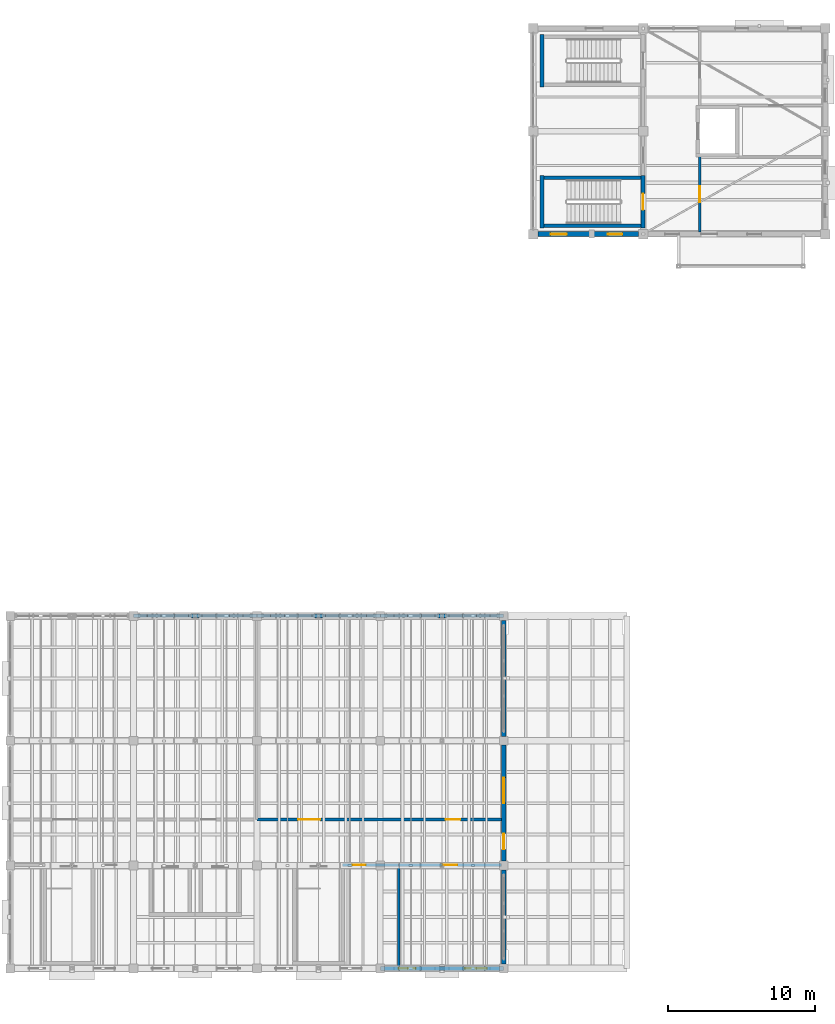
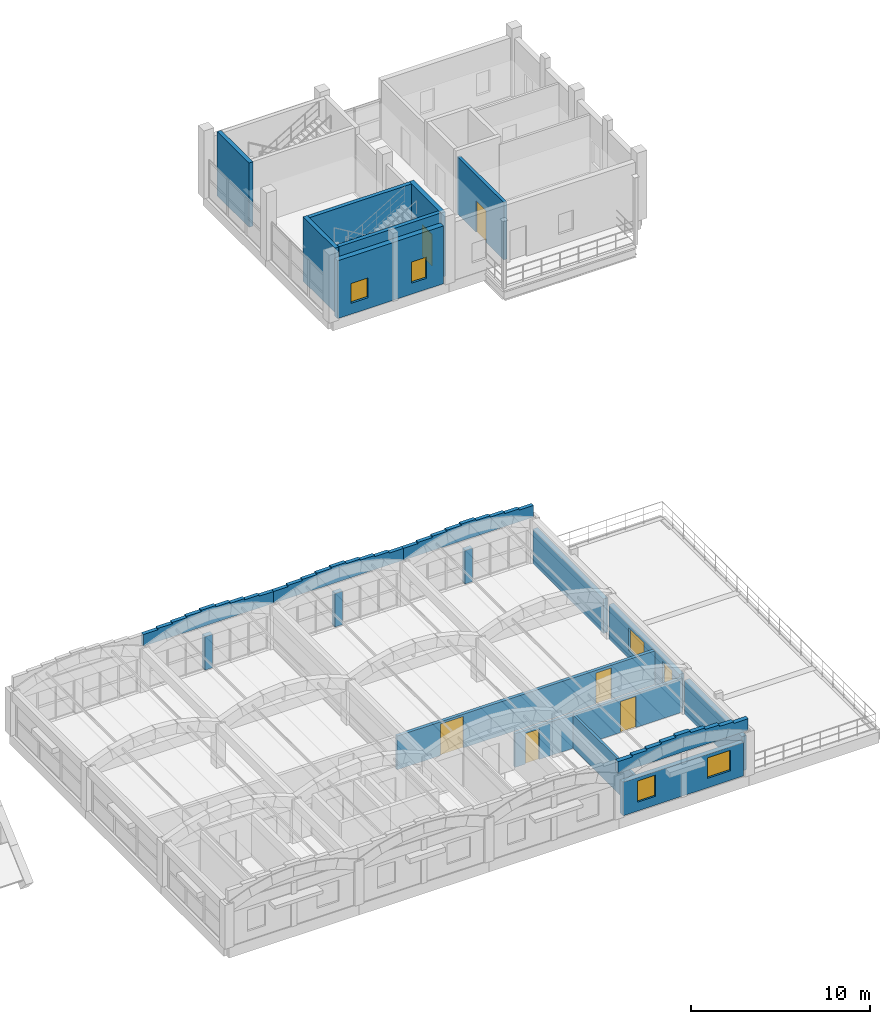
# One storey, part 31 of 40: 22 walls, 7 doors, 5 windows, 12 openings.
"""IFC4 building model written with IfcOpenShell, lengths in metres."""

from ifc_helpers import new_model, si_unit, direction, frame, frame_2d, origin, place, context, subcontext, project, spatial, polyline, rectangle, outline, extrude, material, layer, layer_set, type_object, element, fill, save


model = new_model("IFC4")

# Units and contexts
model_context = context("Model", 3, precision=1e-05, world=origin(), true_north=direction((0.0, 1.0)))
body_context = subcontext(model_context, "Body", "Model", "MODEL_VIEW")
ifc_project = project(units=[si_unit("LENGTHUNIT", "METRE"), si_unit("AREAUNIT", "SQUARE_METRE"), si_unit("VOLUMEUNIT", "CUBIC_METRE"), si_unit("PLANEANGLEUNIT", "RADIAN"), si_unit("MASSUNIT", "GRAM", prefix="KILO")], contexts=[model_context])

# Site, building, storey
site_placement = place(None, origin())
site = spatial("IfcSite", under=ifc_project, at=site_placement, CompositionType="ELEMENT")
building_placement = place(site_placement, origin())
building = spatial("IfcBuilding", under=site, at=building_placement, Name="Trellovar Central Fire Station", CompositionType="ELEMENT")
storey_placement = place(building_placement, frame((0.0, 0.0, 12.75)))
storey = spatial("IfcBuildingStorey", under=building, at=storey_placement, Name="L04", CompositionType="ELEMENT", Elevation=12.75)

# Wall, openings, windows
ifc_material_1 = material(Name="Textured desert sandstone masonry", Category="masonry")
ifc_layer_1 = layer(ifc_material_1, 0.340087890625)
ifc_layer_set_1 = layer_set([ifc_layer_1], Name="Textured desert sandstone masonry")
wall_type_1 = type_object("IfcWallType", Name="EW-3", PredefinedType="STANDARD", material=ifc_layer_set_1)
wall_1_placement = place(storey_placement, frame((141.425048828125, 59.0, 0.0), z_axis=(0.0, 0.0, 1.0), x_axis=(1.0, 0.0, 0.0)))
wall_1 = element("IfcWall", 1, at=wall_1_placement, inside=storey, type_object=wall_type_1, Name="V2 L04 south west bay wall", PredefinedType="STANDARD", context=body_context, shape_type="SweptSolid", body=[
    extrude(rectangle(XDim=6.849853515625, YDim=0.340087890625, at=frame_2d((3.4248046875, 0.0))), origin(), (0.0, 0.0, 1.0), 3.949951171875),
])
opening_1_placement = place(wall_1_placement, frame((0.875, 0.0, 0.75)))
opening_1 = element("IfcOpeningElement", 2, at=opening_1_placement, cuts=wall_1, Name="Opening W-17", PredefinedType="OPENING", context=body_context, shape_type="SweptSolid", body=[
    extrude(rectangle(XDim=1.10009765625, YDim=1.35009765625, at=frame_2d((0.550048828125, 0.675048828125))), frame((0.0, 0.179931640625, 0.0), z_axis=(0.0, -1.0, 0.0), x_axis=(1.0, 0.0, 0.0)), (0.0, 0.0, 1.0), 0.360107421875),
])
opening_2_placement = place(wall_1_placement, frame((4.77490234375, 0.0, 0.75)))
opening_2 = element("IfcOpeningElement", 3, at=opening_2_placement, cuts=wall_1, Name="Opening W-20", PredefinedType="OPENING", context=body_context, shape_type="SweptSolid", body=[
    extrude(rectangle(XDim=0.97998046875, YDim=1.449951171875, at=frame_2d((0.489990234375, 0.72509765625))), frame((0.0, 0.179931640625, 0.0), z_axis=(0.0, -1.0, 0.0), x_axis=(1.0, 0.0, 0.0)), (0.0, 0.0, 1.0), 0.360107421875),
])
ifc_material_2 = material(Name="Thermally broken bronze anodized aluminum", Category="aluminium")
window_type_1 = type_object("IfcWindowType", Name="WIN-17", PartitioningType="SINGLE_PANEL", PredefinedType="WINDOW", material=ifc_material_2)
window_1_placement = place(opening_1_placement, origin())
window_1 = element("IfcWindow", 4, at=window_1_placement, inside=storey, type_object=window_type_1, Name="L04 window W-17", OverallHeight=1.35009765625, OverallWidth=1.10009765625, PartitioningType="SINGLE_PANEL", PredefinedType="WINDOW", context=body_context, shape_type="SweptSolid", body=[
    extrude(rectangle(XDim=1.10009765625, YDim=1.35009765625, at=frame_2d((0.550048828125, 0.675048828125))), frame((0.0, 0.030029296875, 0.0), z_axis=(0.0, -1.0, 0.0), x_axis=(1.0, 0.0, 0.0)), (0.0, 0.0, 1.0), 0.06005859375),
])
fill(opening_1, window_1)
ifc_material_3 = material(Name="Thermally broken bronze anodized aluminum", Category="aluminium")
window_type_2 = type_object("IfcWindowType", Name="WIN-20", PartitioningType="SINGLE_PANEL", PredefinedType="WINDOW", material=ifc_material_3)
window_2_placement = place(opening_2_placement, origin())
window_2 = element("IfcWindow", 5, at=window_2_placement, inside=storey, type_object=window_type_2, Name="L04 window W-20", OverallHeight=1.449951171875, OverallWidth=0.97998046875, PartitioningType="SINGLE_PANEL", PredefinedType="WINDOW", context=body_context, shape_type="SweptSolid", body=[
    extrude(rectangle(XDim=0.97998046875, YDim=1.449951171875, at=frame_2d((0.489990234375, 0.72509765625))), frame((0.0, 0.030029296875, 0.0), z_axis=(0.0, -1.0, 0.0), x_axis=(1.0, 0.0, 0.0)), (0.0, 0.0, 1.0), 0.06005859375),
])
fill(opening_2, window_2)

ifc_material_4 = material(Name="Glazed ceramic trencadis and terracotta panel", Category="masonry")
ifc_layer_2 = layer(ifc_material_4, 0.300048828125)
ifc_layer_set_2 = layer_set([ifc_layer_2], Name="Glazed ceramic trencadis and terracotta panel")
wall_type_2 = type_object("IfcWallType", Name="EW-4", PredefinedType="STANDARD", material=ifc_layer_set_2)
wall_2_placement = place(storey_placement, frame((131.0, 9.0, 0.0), z_axis=(0.0, 0.0, 1.0), x_axis=(1.0, 0.0, 0.0)))
wall_2 = element("IfcWall", 6, at=wall_2_placement, inside=storey, type_object=wall_type_2, Name="V5 L04 south wall 4", PredefinedType="STANDARD", context=body_context, shape_type="SweptSolid", body=[
    extrude(rectangle(XDim=7.800048828125, YDim=0.300048828125, at=frame_2d((3.89990234375, 0.0))), origin(), (0.0, 0.0, 1.0), 2.2900390625),
])
opening_3_placement = place(wall_2_placement, frame((0.949951171875, 0.0, 0.60009765625)))
opening_3 = element("IfcOpeningElement", 7, at=opening_3_placement, cuts=wall_2, Name="Opening W-01", PredefinedType="OPENING", context=body_context, shape_type="SweptSolid", body=[
    extrude(rectangle(XDim=1.14990234375, YDim=1.449951171875, at=frame_2d((0.574951171875, 0.72509765625))), frame((0.0, 0.159912109375, 0.0), z_axis=(0.0, -1.0, 0.0), x_axis=(1.0, 0.0, 0.0)), (0.0, 0.0, 1.0), 0.320068359375),
])
opening_4_placement = place(wall_2_placement, frame((5.449951171875, 0.0, 0.64990234375)))
opening_4 = element("IfcOpeningElement", 8, at=opening_4_placement, cuts=wall_2, Name="Opening W-18", PredefinedType="OPENING", context=body_context, shape_type="SweptSolid", body=[
    extrude(rectangle(XDim=1.5, YDim=1.39990234375, at=frame_2d((0.75, 0.699951171875))), frame((0.0, 0.159912109375, 0.0), z_axis=(0.0, -1.0, 0.0), x_axis=(1.0, 0.0, 0.0)), (0.0, 0.0, 1.0), 0.320068359375),
])
ifc_material_5 = material(Name="Thermally broken bronze anodized aluminum", Category="aluminium")
window_type_3 = type_object("IfcWindowType", Name="WIN-01", PartitioningType="SINGLE_PANEL", PredefinedType="WINDOW", material=ifc_material_5)
window_3_placement = place(opening_3_placement, origin())
window_3 = element("IfcWindow", 9, at=window_3_placement, inside=storey, type_object=window_type_3, Name="L04 window W-01", OverallHeight=1.449951171875, OverallWidth=1.14990234375, PartitioningType="SINGLE_PANEL", PredefinedType="WINDOW", context=body_context, shape_type="SweptSolid", body=[
    extrude(rectangle(XDim=1.14990234375, YDim=1.449951171875, at=frame_2d((0.574951171875, 0.72509765625))), frame((0.0, 0.030029296875, 0.0), z_axis=(0.0, -1.0, 0.0), x_axis=(1.0, 0.0, 0.0)), (0.0, 0.0, 1.0), 0.06005859375),
])
fill(opening_3, window_3)
ifc_material_6 = material(Name="Thermally broken bronze anodized aluminum", Category="aluminium")
window_type_4 = type_object("IfcWindowType", Name="WIN-18", PartitioningType="DOUBLE_PANEL_VERTICAL", PredefinedType="WINDOW", material=ifc_material_6)
window_4_placement = place(opening_4_placement, origin())
window_4 = element("IfcWindow", 10, at=window_4_placement, inside=storey, type_object=window_type_4, Name="L04 window W-18", OverallHeight=1.39990234375, OverallWidth=1.5, PartitioningType="DOUBLE_PANEL_VERTICAL", PredefinedType="WINDOW", context=body_context, shape_type="SweptSolid", body=[
    extrude(rectangle(XDim=1.5, YDim=1.39990234375, at=frame_2d((0.75, 0.699951171875))), frame((0.0, 0.030029296875, 0.0), z_axis=(0.0, -1.0, 0.0), x_axis=(1.0, 0.0, 0.0)), (0.0, 0.0, 1.0), 0.06005859375),
])
fill(opening_4, window_4)

# Walls
for number, where, z_axis, x_axis, name in (
    (11, (118.35009765625, 33.0, 0.0), (0.0, 0.0, 1.0), (-1.0, 0.0, 0.0), "V5 L04 north mullion pier"),
    (12, (126.75, 33.0, 0.0), (0.0, 0.0, 1.0), (-1.0, 0.0, 0.0), "V5 L04 north mullion pier"),
    (13, (135.14990234375, 33.0, 0.0), (0.0, 0.0, 1.0), (-1.0, 0.0, 0.0), "V5 L04 north mullion pier"),
):
    element("IfcWall", number, at=place(storey_placement, frame(where, z_axis=z_axis, x_axis=x_axis)), inside=storey, type_object=wall_type_2, Name=name, PredefinedType="STANDARD", context=body_context, shape_type="SweptSolid", body=[
        extrude(rectangle(XDim=0.5, YDim=0.300048828125, at=frame_2d((0.25, 0.0))), origin(), (0.0, 0.0, 1.0), 2.2900390625),
    ])
wall_3_placement = place(storey_placement, frame((139.10009765625, 9.300048828125, 0.0), z_axis=(0.0, 0.0, 1.0), x_axis=(0.0, 1.0, 0.0)))
element("IfcWall", 14, at=wall_3_placement, inside=storey, type_object=wall_type_2, Name="V5 L04 east stepback wall", PredefinedType="STANDARD", context=body_context, shape_type="SweptSolid", body=[
    extrude(rectangle(XDim=6.39990234375, YDim=0.300048828125, at=frame_2d((3.199951171875, 0.0))), origin(), (0.0, 0.0, 1.0), 2.35009765625),
])

# Wall, openings, door, window
wall_4_placement = place(storey_placement, frame((139.10009765625, 16.300048828125, 0.0), z_axis=(0.0, 0.0, 1.0), x_axis=(0.0, 1.0, 0.0)))
wall_4 = element("IfcWall", 15, at=wall_4_placement, inside=storey, type_object=wall_type_2, Name="V5 L04 east stepback wall", PredefinedType="STANDARD", context=body_context, shape_type="SweptSolid", body=[
    extrude(rectangle(XDim=7.89990234375, YDim=0.300048828125, at=frame_2d((3.949951171875, 0.0))), origin(), (0.0, 0.0, 1.0), 2.35009765625),
])
opening_5_placement = place(wall_4_placement, frame((0.800048828125, 0.0, 0.0)))
opening_5 = element("IfcOpeningElement", 16, at=opening_5_placement, cuts=wall_4, Name="Opening EX-3", PredefinedType="OPENING", context=body_context, shape_type="SweptSolid", body=[
    extrude(rectangle(XDim=1.080078125, YDim=2.10009765625, at=frame_2d((0.5400390625, 1.050048828125))), frame((0.0, 0.159912109375, 0.0), z_axis=(0.0, -1.0, 0.0), x_axis=(1.0, 0.0, 0.0)), (0.0, 0.0, 1.0), 0.320068359375),
])
opening_6_placement = place(wall_4_placement, frame((3.949951171875, 0.0, 0.56005859375)))
opening_6 = element("IfcOpeningElement", 17, at=opening_6_placement, cuts=wall_4, Name="Opening W-03", PredefinedType="OPENING", context=body_context, shape_type="SweptSolid", body=[
    extrude(rectangle(XDim=1.75, YDim=1.550048828125, at=frame_2d((0.875, 0.77490234375))), frame((0.0, 0.159912109375, 0.0), z_axis=(0.0, -1.0, 0.0), x_axis=(1.0, 0.0, 0.0)), (0.0, 0.0, 1.0), 0.320068359375),
])
ifc_material_7 = material(Name="Thermally broken bronze anodized aluminum", Category="aluminium")
door_type_1 = type_object("IfcDoorType", Name="DR-EXT3", OperationType="SINGLE_SWING_LEFT", PredefinedType="DOOR", material=ifc_material_7)
door_1_placement = place(opening_5_placement, frame((1.080078125, 0.0, 0.0), z_axis=(0.0, 0.0, 1.0), x_axis=(-1.0, 0.0, 0.0)))
door_1 = element("IfcDoor", 18, at=door_1_placement, inside=storey, type_object=door_type_1, Name="V5 L04 east roof terrace access door", OperationType="SINGLE_SWING_LEFT", OverallHeight=2.10009765625, OverallWidth=1.080078125, PredefinedType="DOOR", context=body_context, shape_type="SweptSolid", body=[
    extrude(rectangle(XDim=1.080078125, YDim=2.10009765625, at=frame_2d((0.5400390625, 1.050048828125))), frame((0.0, 0.02490234375, 0.0), z_axis=(0.0, -1.0, 0.0), x_axis=(1.0, 0.0, 0.0)), (0.0, 0.0, 1.0), 0.050048828125),
])
fill(opening_5, door_1)
ifc_material_8 = material(Name="Thermally broken bronze anodized aluminum", Category="aluminium")
window_type_5 = type_object("IfcWindowType", Name="WIN-03", PartitioningType="DOUBLE_PANEL_VERTICAL", PredefinedType="WINDOW", material=ifc_material_8)
window_5_placement = place(opening_6_placement, origin())
window_5 = element("IfcWindow", 19, at=window_5_placement, inside=storey, type_object=window_type_5, Name="L04 window W-03", OverallHeight=1.550048828125, OverallWidth=1.75, PartitioningType="DOUBLE_PANEL_VERTICAL", PredefinedType="WINDOW", context=body_context, shape_type="SweptSolid", body=[
    extrude(rectangle(XDim=1.75, YDim=1.550048828125, at=frame_2d((0.875, 0.77490234375))), frame((0.0, 0.030029296875, 0.0), z_axis=(0.0, -1.0, 0.0), x_axis=(1.0, 0.0, 0.0)), (0.0, 0.0, 1.0), 0.06005859375),
])
fill(opening_6, window_5)

# Walls
wall_5_placement = place(storey_placement, frame((139.10009765625, 24.800048828125, 0.0), z_axis=(0.0, 0.0, 1.0), x_axis=(0.0, 1.0, 0.0)))
element("IfcWall", 20, at=wall_5_placement, inside=storey, type_object=wall_type_2, Name="V5 L04 east stepback wall", PredefinedType="STANDARD", context=body_context, shape_type="SweptSolid", body=[
    extrude(rectangle(XDim=7.89990234375, YDim=0.300048828125, at=frame_2d((3.949951171875, 0.0))), origin(), (0.0, 0.0, 1.0), 2.35009765625),
])
ifc_material_9 = material(Name="Catalan polychrome brickwork with insulated cavity", Category="masonry")
ifc_layer_3 = layer(ifc_material_9, 0.280029296875)
ifc_layer_set_3 = layer_set([ifc_layer_3], Name="Catalan polychrome brickwork with insulated cavity")
wall_type_3 = type_object("IfcWallType", Name="PAR-1", PredefinedType="PARAPET", material=ifc_layer_set_3)
wall_6_placement = place(storey_placement, frame((130.699951171875, 9.0, 3.0), z_axis=(0.0, 0.0, 1.0), x_axis=(1.0, 0.0, 0.0)))
element("IfcWall", 21, at=wall_6_placement, inside=storey, type_object=wall_type_3, Name="L04 Catalan stepped parapet", PredefinedType="PARAPET", context=body_context, shape_type="SweptSolid", body=[
    extrude(outline(polyline([(0.0, 0.0), (8.400146484375, 0.0), (8.39990234375, 0.800048828125), (7.4677734375, 0.800048828125), (7.466796875, 0.91259765625), (6.5341796875, 0.91259765625), (6.533203125, 1.02490234375), (5.60107421875, 1.02490234375), (5.60009765625, 1.137451171875), (4.667724609375, 1.137451171875), (4.666748046875, 1.25), (3.734375, 1.25), (3.7333984375, 1.137451171875), (2.801025390625, 1.137451171875), (2.800048828125, 1.02490234375), (1.86767578125, 1.02490234375), (1.86669921875, 0.91259765625), (0.934326171875, 0.91259765625), (0.933349609375, 0.800048828125), (0.0, 0.800048828125), (0.0, 0.0)])), frame((0.0, 0.14013671875, 0.0), z_axis=(0.0, -1.0, 0.0), x_axis=(1.0, 0.0, 0.0)), (0.0, 0.0, 1.0), 0.280029296875),
])
ifc_material_10 = material(Name="Glazed ceramic trencadis and terracotta panel", Category="masonry")
ifc_layer_4 = layer(ifc_material_10, 0.239990234375)
ifc_layer_set_4 = layer_set([ifc_layer_4], Name="Glazed ceramic trencadis and terracotta panel")
wall_type_4 = type_object("IfcWallType", Name="PAR-2", PredefinedType="PARAPET", material=ifc_layer_set_4)
wall_7_placement = place(storey_placement, frame((113.89990234375, 33.0, 3.0), z_axis=(0.0, 0.0, 1.0), x_axis=(1.0, 0.0, 0.0)))
element("IfcWall", 22, at=wall_7_placement, inside=storey, type_object=wall_type_4, Name="L04 Catalan stepped parapet", PredefinedType="PARAPET", context=body_context, shape_type="SweptSolid", body=[
    extrude(outline(polyline([(0.0, 0.0), (8.400146484375, 0.0), (8.39990234375, 0.800048828125), (7.4677734375, 0.800048828125), (7.466796875, 0.887451171875), (6.5341796875, 0.887451171875), (6.533203125, 0.97509765625), (5.60107421875, 0.97509765625), (5.60009765625, 1.0625), (4.667724609375, 1.0625), (4.666748046875, 1.14990234375), (3.734375, 1.14990234375), (3.7333984375, 1.0625), (2.801025390625, 1.0625), (2.800048828125, 0.97509765625), (1.86767578125, 0.97509765625), (1.86669921875, 0.887451171875), (0.934326171875, 0.887451171875), (0.933349609375, 0.800048828125), (0.0, 0.800048828125), (0.0, 0.0)])), frame((0.0, 0.1201171875, 0.0), z_axis=(0.0, -1.0, 0.0), x_axis=(1.0, 0.0, 0.0)), (0.0, 0.0, 1.0), 0.239990234375),
])
wall_8_placement = place(storey_placement, frame((122.300048828125, 33.0, 3.0), z_axis=(0.0, 0.0, 1.0), x_axis=(1.0, 0.0, 0.0)))
element("IfcWall", 23, at=wall_8_placement, inside=storey, type_object=wall_type_4, Name="L04 Catalan stepped parapet", PredefinedType="PARAPET", context=body_context, shape_type="SweptSolid", body=[
    extrude(outline(polyline([(0.0, 0.0), (8.39990234375, 0.0), (8.39990234375, 0.800048828125), (7.4677734375, 0.800048828125), (7.466796875, 0.887451171875), (6.5341796875, 0.887451171875), (6.533203125, 0.97509765625), (5.60107421875, 0.97509765625), (5.60009765625, 1.0625), (4.667724609375, 1.0625), (4.666748046875, 1.14990234375), (3.734375, 1.14990234375), (3.7333984375, 1.0625), (2.801025390625, 1.0625), (2.800048828125, 0.97509765625), (1.86767578125, 0.97509765625), (1.86669921875, 0.887451171875), (0.934326171875, 0.887451171875), (0.933349609375, 0.800048828125), (0.0, 0.800048828125), (0.0, 0.0)])), frame((0.0, 0.1201171875, 0.0), z_axis=(0.0, -1.0, 0.0), x_axis=(1.0, 0.0, 0.0)), (0.0, 0.0, 1.0), 0.239990234375),
])
wall_9_placement = place(storey_placement, frame((130.699951171875, 33.0, 3.0), z_axis=(0.0, 0.0, 1.0), x_axis=(1.0, 0.0, 0.0)))
element("IfcWall", 24, at=wall_9_placement, inside=storey, type_object=wall_type_4, Name="L04 Catalan stepped parapet", PredefinedType="PARAPET", context=body_context, shape_type="SweptSolid", body=[
    extrude(outline(polyline([(0.0, 0.0), (8.400146484375, 0.0), (8.39990234375, 0.800048828125), (7.4677734375, 0.800048828125), (7.466796875, 0.887451171875), (6.5341796875, 0.887451171875), (6.533203125, 0.97509765625), (5.60107421875, 0.97509765625), (5.60009765625, 1.0625), (4.667724609375, 1.0625), (4.666748046875, 1.14990234375), (3.734375, 1.14990234375), (3.7333984375, 1.0625), (2.801025390625, 1.0625), (2.800048828125, 0.97509765625), (1.86767578125, 0.97509765625), (1.86669921875, 0.887451171875), (0.934326171875, 0.887451171875), (0.933349609375, 0.800048828125), (0.0, 0.800048828125), (0.0, 0.0)])), frame((0.0, 0.1201171875, 0.0), z_axis=(0.0, -1.0, 0.0), x_axis=(1.0, 0.0, 0.0)), (0.0, 0.0, 1.0), 0.239990234375),
])

# Wall, opening, door
ifc_material_11 = material(Name="Acoustic concrete masonry unit", Category="masonry")
ifc_layer_5 = layer(ifc_material_11, 0.199951171875)
ifc_layer_set_5 = layer_set([ifc_layer_5], Name="Acoustic concrete masonry unit")
wall_type_5 = type_object("IfcWallType", Name="PT-1", PredefinedType="PARTITIONING", material=ifc_layer_set_5)
wall_10_placement = place(storey_placement, frame((128.139892578125, 16.050048828125, 0.0), z_axis=(0.0, 0.0, 1.0), x_axis=(1.0, 0.0, 0.0)))
wall_10 = element("IfcWall", 25, at=wall_10_placement, inside=storey, type_object=wall_type_5, Name="V5 L04 south corridor spine", PredefinedType="PARTITIONING", context=body_context, shape_type="SweptSolid", body=[
    extrude(rectangle(XDim=3.81005859375, YDim=0.199951171875, at=frame_2d((1.905029296875, 0.0))), origin(), (0.0, 0.0, 1.0), 2.300048828125),
])
opening_7_placement = place(wall_10_placement, frame((0.655029296875, 0.0, 0.0)))
opening_7 = element("IfcOpeningElement", 26, at=opening_7_placement, cuts=wall_10, Name="Opening ID-11", PredefinedType="OPENING", context=body_context, shape_type="SweptSolid", body=[
    extrude(rectangle(XDim=0.89990234375, YDim=2.080078125, at=frame_2d((0.449951171875, 1.0400390625))), frame((0.0, 0.10986328125, 0.0), z_axis=(0.0, -1.0, 0.0), x_axis=(1.0, 0.0, 0.0)), (0.0, 0.0, 1.0), 0.219970703125),
])
ifc_material_12 = material(Name="Solid core acoustic white oak veneer", Category="wood")
door_type_2 = type_object("IfcDoorType", Name="DR-INT11", OperationType="SINGLE_SWING_LEFT", PredefinedType="DOOR", material=ifc_material_12)
door_2_placement = place(opening_7_placement, origin())
door_2 = element("IfcDoor", 27, at=door_2_placement, inside=storey, type_object=door_type_2, Name="V5 L04 south bay door", OperationType="SINGLE_SWING_RIGHT", OverallHeight=2.080078125, OverallWidth=0.89990234375, PredefinedType="DOOR", context=body_context, shape_type="SweptSolid", body=[
    extrude(rectangle(XDim=0.89990234375, YDim=2.080078125, at=frame_2d((0.449951171875, 1.0400390625))), frame((0.0, 0.02490234375, 0.0), z_axis=(0.0, -1.0, 0.0), x_axis=(1.0, 0.0, 0.0)), (0.0, 0.0, 1.0), 0.050048828125),
])
fill(opening_7, door_2)

wall_11_placement = place(storey_placement, frame((131.949951171875, 16.050048828125, 0.0), z_axis=(0.0, 0.0, 1.0), x_axis=(1.0, 0.0, 0.0)))
wall_11 = element("IfcWall", 28, at=wall_11_placement, inside=storey, type_object=wall_type_5, Name="V5 L04 south corridor spine", PredefinedType="PARTITIONING", context=body_context, shape_type="SweptSolid", body=[
    extrude(rectangle(XDim=7.0, YDim=0.199951171875, at=frame_2d((3.5, 0.0))), origin(), (0.0, 0.0, 1.0), 2.300048828125),
])
opening_8_placement = place(wall_11_placement, frame((3.0, 0.0, 0.0)))
opening_8 = element("IfcOpeningElement", 29, at=opening_8_placement, cuts=wall_11, Name="Opening ID-1", PredefinedType="OPENING", context=body_context, shape_type="SweptSolid", body=[
    extrude(rectangle(XDim=1.0, YDim=2.1201171875, at=frame_2d((0.5, 1.06005859375))), frame((0.0, 0.10986328125, 0.0), z_axis=(0.0, -1.0, 0.0), x_axis=(1.0, 0.0, 0.0)), (0.0, 0.0, 1.0), 0.219970703125),
])
ifc_material_13 = material(Name="Solid core acoustic white oak veneer", Category="wood")
door_type_3 = type_object("IfcDoorType", Name="DR-INT1", OperationType="SINGLE_SWING_LEFT", PredefinedType="DOOR", material=ifc_material_13)
door_3_placement = place(opening_8_placement, origin())
door_3 = element("IfcDoor", 30, at=door_3_placement, inside=storey, type_object=door_type_3, Name="V5 L04 south bay door", OperationType="SINGLE_SWING_LEFT", OverallHeight=2.1201171875, OverallWidth=1.0, PredefinedType="DOOR", context=body_context, shape_type="SweptSolid", body=[
    extrude(rectangle(XDim=1.0, YDim=2.1201171875, at=frame_2d((0.5, 1.06005859375))), frame((0.0, 0.02490234375, 0.0), z_axis=(0.0, -1.0, 0.0), x_axis=(1.0, 0.0, 0.0)), (0.0, 0.0, 1.0), 0.050048828125),
])
fill(opening_8, door_3)

# Wall, openings, doors
wall_12_placement = place(storey_placement, frame((122.300048828125, 19.14990234375, 0.0), z_axis=(0.0, 0.0, 1.0), x_axis=(1.0, 0.0, 0.0)))
wall_12 = element("IfcWall", 31, at=wall_12_placement, inside=storey, type_object=wall_type_5, Name="V5 L04 north corridor spine", PredefinedType="PARTITIONING", context=body_context, shape_type="SweptSolid", body=[
    extrude(rectangle(XDim=16.64990234375, YDim=0.199951171875, at=frame_2d((8.324951171875, 0.0))), origin(), (0.0, 0.0, 1.0), 2.300048828125),
])
opening_9_placement = place(wall_12_placement, frame((2.800048828125, 0.0, 0.0)))
opening_9 = element("IfcOpeningElement", 32, at=opening_9_placement, cuts=wall_12, Name="Opening ID-9", PredefinedType="OPENING", context=body_context, shape_type="SweptSolid", body=[
    extrude(rectangle(XDim=1.5, YDim=2.14990234375, at=frame_2d((0.75, 1.074951171875))), frame((0.0, 0.10986328125, 0.0), z_axis=(0.0, -1.0, 0.0), x_axis=(1.0, 0.0, 0.0)), (0.0, 0.0, 1.0), 0.219970703125),
])
opening_10_placement = place(wall_12_placement, frame((12.85009765625, 0.0, 0.0)))
opening_10 = element("IfcOpeningElement", 33, at=opening_10_placement, cuts=wall_12, Name="Opening ID-1", PredefinedType="OPENING", context=body_context, shape_type="SweptSolid", body=[
    extrude(rectangle(XDim=1.0, YDim=2.1201171875, at=frame_2d((0.5, 1.06005859375))), frame((0.0, 0.10986328125, 0.0), z_axis=(0.0, -1.0, 0.0), x_axis=(1.0, 0.0, 0.0)), (0.0, 0.0, 1.0), 0.219970703125),
])
door_4_placement = place(opening_10_placement, origin())
door_4 = element("IfcDoor", 34, at=door_4_placement, inside=storey, type_object=door_type_3, Name="V5 L04 north secondary egress door", OperationType="SINGLE_SWING_LEFT", OverallHeight=2.1201171875, OverallWidth=1.0, PredefinedType="DOOR", context=body_context, shape_type="SweptSolid", body=[
    extrude(rectangle(XDim=1.0, YDim=2.1201171875, at=frame_2d((0.5, 1.06005859375))), frame((0.0, 0.02490234375, 0.0), z_axis=(0.0, -1.0, 0.0), x_axis=(1.0, 0.0, 0.0)), (0.0, 0.0, 1.0), 0.050048828125),
])
fill(opening_10, door_4)
ifc_material_14 = material(Name="Solid core acoustic white oak veneer", Category="wood")
door_type_4 = type_object("IfcDoorType", Name="DR-INT9", OperationType="DOUBLE_DOOR_SINGLE_SWING", PredefinedType="DOOR", material=ifc_material_14)
door_5_placement = place(opening_9_placement, origin())
door_5 = element("IfcDoor", 35, at=door_5_placement, inside=storey, type_object=door_type_4, Name="V5 L04 north hall door", OperationType="DOUBLE_DOOR_SINGLE_SWING", OverallHeight=2.14990234375, OverallWidth=1.5, PredefinedType="DOOR", context=body_context, shape_type="SweptSolid", body=[
    extrude(rectangle(XDim=1.5, YDim=2.14990234375, at=frame_2d((0.75, 1.074951171875))), frame((0.0, 0.02490234375, 0.0), z_axis=(0.0, -1.0, 0.0), x_axis=(1.0, 0.0, 0.0)), (0.0, 0.0, 1.0), 0.050048828125),
])
fill(opening_9, door_5)

# Wall, opening, door
wall_13_placement = place(storey_placement, frame((152.449951171875, 59.14990234375, 0.0), z_axis=(0.0, 0.0, 1.0), x_axis=(0.0, 1.0, 0.0)))
wall_13 = element("IfcWall", 36, at=wall_13_placement, inside=storey, type_object=wall_type_5, Name="V2 L04 south deck corridor wall", PredefinedType="PARTITIONING", context=body_context, shape_type="SweptSolid", body=[
    extrude(rectangle(XDim=5.22021484375, YDim=0.199951171875, at=frame_2d((2.610107421875, 0.0))), origin(), (0.0, 0.0, 1.0), 3.89990234375),
])
opening_11_placement = place(wall_13_placement, frame((2.0, 0.0, 0.0)))
opening_11 = element("IfcOpeningElement", 37, at=opening_11_placement, cuts=wall_13, Name="Opening ID-12", PredefinedType="OPENING", context=body_context, shape_type="SweptSolid", body=[
    extrude(rectangle(XDim=1.1201171875, YDim=2.14990234375, at=frame_2d((0.56005859375, 1.074951171875))), frame((0.0, 0.10986328125, 0.0), z_axis=(0.0, -1.0, 0.0), x_axis=(1.0, 0.0, 0.0)), (0.0, 0.0, 1.0), 0.219970703125),
])
ifc_material_15 = material(Name="Hollow galvanized steel with acoustic core", Category="steel")
door_type_5 = type_object("IfcDoorType", Name="DR-INT12", OperationType="SINGLE_SWING_LEFT", PredefinedType="DOOR", material=ifc_material_15)
door_6_placement = place(opening_11_placement, origin())
door_6 = element("IfcDoor", 38, at=door_6_placement, inside=storey, type_object=door_type_5, Name="V2 L04 south training deck door", OperationType="SINGLE_SWING_RIGHT", OverallHeight=2.14990234375, OverallWidth=1.1201171875, PredefinedType="DOOR", context=body_context, shape_type="SweptSolid", body=[
    extrude(rectangle(XDim=1.1201171875, YDim=2.14990234375, at=frame_2d((0.56005859375, 1.074951171875))), frame((0.0, 0.02490234375, 0.0), z_axis=(0.0, -1.0, 0.0), x_axis=(1.0, 0.0, 0.0)), (0.0, 0.0, 1.0), 0.050048828125),
])
fill(opening_11, door_6)

# Wall
ifc_material_16 = material(Name="Fire-rated acoustic gypsum stud partition", Category="gypsum")
ifc_layer_6 = layer(ifc_material_16, 0.14990234375)
ifc_layer_set_6 = layer_set([ifc_layer_6], Name="Fire-rated acoustic gypsum stud partition")
wall_type_6 = type_object("IfcWallType", Name="PT-6", PredefinedType="PARTITIONING", material=ifc_layer_set_6)
wall_14_placement = place(storey_placement, frame((131.949951171875, 9.14990234375, 0.0), z_axis=(0.0, 0.0, 1.0), x_axis=(0.0, 1.0, 0.0)))
element("IfcWall", 39, at=wall_14_placement, inside=storey, type_object=wall_type_6, Name="V5 L04 south room divider X=131.95", PredefinedType="PARTITIONING", context=body_context, shape_type="SweptSolid", body=[
    extrude(rectangle(XDim=6.900146484375, YDim=0.14990234375, at=frame_2d((3.4501953125, 0.0))), origin(), (0.0, 0.0, 1.0), 2.300048828125),
])

# Wall, opening, door
ifc_material_17 = material(Name="Concrete C40/50", Category="concrete")
ifc_layer_7 = layer(ifc_material_17, 0.280029296875)
ifc_layer_set_7 = layer_set([ifc_layer_7], Name="Concrete C40/50")
wall_type_7 = type_object("IfcWallType", Name="SW-1", PredefinedType="SHEAR", material=ifc_layer_set_7)
wall_15_placement = place(storey_placement, frame((148.590087890625, 62.97998046875, 0.0), z_axis=(0.0, 0.0, 1.0), x_axis=(0.0, -1.0, 0.0)))
wall_15 = element("IfcWall", 40, at=wall_15_placement, inside=storey, type_object=wall_type_7, Name="Stair ST-05 L04 front corridor wall", PredefinedType="SHEAR", context=body_context, shape_type="SweptSolid", body=[
    extrude(rectangle(XDim=3.56005859375, YDim=0.280029296875, at=frame_2d((1.780029296875, 0.0))), origin(), (0.0, 0.0, 1.0), 4.39990234375),
])
opening_12_placement = place(wall_15_placement, frame((1.22998046875, 0.0, 0.0)))
opening_12 = element("IfcOpeningElement", 41, at=opening_12_placement, cuts=wall_15, Name="Opening SD-2", PredefinedType="OPENING", context=body_context, shape_type="SweptSolid", body=[
    extrude(rectangle(XDim=1.10009765625, YDim=2.14990234375, at=frame_2d((0.550048828125, 1.074951171875))), frame((0.0, 0.14990234375, 0.0), z_axis=(0.0, -1.0, 0.0), x_axis=(1.0, 0.0, 0.0)), (0.0, 0.0, 1.0), 0.300048828125),
])
ifc_material_18 = material(Name="Hollow galvanized steel with acoustic core", Category="steel")
door_type_6 = type_object("IfcDoorType", Name="DR-STR2", OperationType="SINGLE_SWING_LEFT", PredefinedType="DOOR", material=ifc_material_18)
door_7_placement = place(opening_12_placement, origin())
door_7 = element("IfcDoor", 42, at=door_7_placement, inside=storey, type_object=door_type_6, Name="Stair ST-05 L04 fire door", OperationType="SINGLE_SWING_RIGHT", OverallHeight=2.14990234375, OverallWidth=1.10009765625, PredefinedType="DOOR", context=body_context, shape_type="SweptSolid", body=[
    extrude(rectangle(XDim=1.10009765625, YDim=2.14990234375, at=frame_2d((0.550048828125, 1.074951171875))), frame((0.0, 0.02490234375, 0.0), z_axis=(0.0, -1.0, 0.0), x_axis=(1.0, 0.0, 0.0)), (0.0, 0.0, 1.0), 0.050048828125),
])
fill(opening_12, door_7)

# Walls
ifc_material_19 = material(Name="Concrete C40/50", Category="concrete")
ifc_layer_8 = layer(ifc_material_19, 0.25)
ifc_layer_set_8 = layer_set([ifc_layer_8], Name="Concrete C40/50")
wall_type_8 = type_object("IfcWallType", Name="SW-2", PredefinedType="SHEAR", material=ifc_layer_set_8)
wall_16_placement = place(storey_placement, frame((141.7099609375, 59.419921875, 0.0), z_axis=(0.0, 0.0, 1.0), x_axis=(0.0, 1.0, 0.0)))
element("IfcWall", 43, at=wall_16_placement, inside=storey, type_object=wall_type_8, Name="Stair ST-05 L04 rear wall", PredefinedType="SHEAR", context=body_context, shape_type="SweptSolid", body=[
    extrude(rectangle(XDim=3.56005859375, YDim=0.25, at=frame_2d((1.780029296875, 0.0))), origin(), (0.0, 0.0, 1.0), 4.39990234375),
])
for number, where, z_axis, x_axis, name in (
    (44, (148.449951171875, 62.840087890625, 0.0), (0.0, 0.0, 1.0), (-1.0, 0.0, 0.0), "Stair ST-05 L04 left wall"),
    (45, (141.85009765625, 59.56005859375, 0.0), (0.0, 0.0, 1.0), (1.0, 0.0, 0.0), "Stair ST-05 L04 right wall"),
):
    element("IfcWall", number, at=place(storey_placement, frame(where, z_axis=z_axis, x_axis=x_axis)), inside=storey, type_object=wall_type_8, Name=name, PredefinedType="SHEAR", context=body_context, shape_type="SweptSolid", body=[
        extrude(rectangle(XDim=6.599853515625, YDim=0.25, at=frame_2d((3.2998046875, 0.0))), origin(), (0.0, 0.0, 1.0), 4.39990234375),
    ])
wall_17_placement = place(storey_placement, frame((141.7099609375, 69.02001953125, 0.0), z_axis=(0.0, 0.0, 1.0), x_axis=(0.0, 1.0, 0.0)))
element("IfcWall", 46, at=wall_17_placement, inside=storey, type_object=wall_type_8, Name="Stair ST-06 L04 rear wall", PredefinedType="SHEAR", context=body_context, shape_type="SweptSolid", body=[
    extrude(rectangle(XDim=3.56005859375, YDim=0.25, at=frame_2d((1.780029296875, 0.0))), origin(), (0.0, 0.0, 1.0), 4.39990234375),
])

save(model, "model.ifc")
